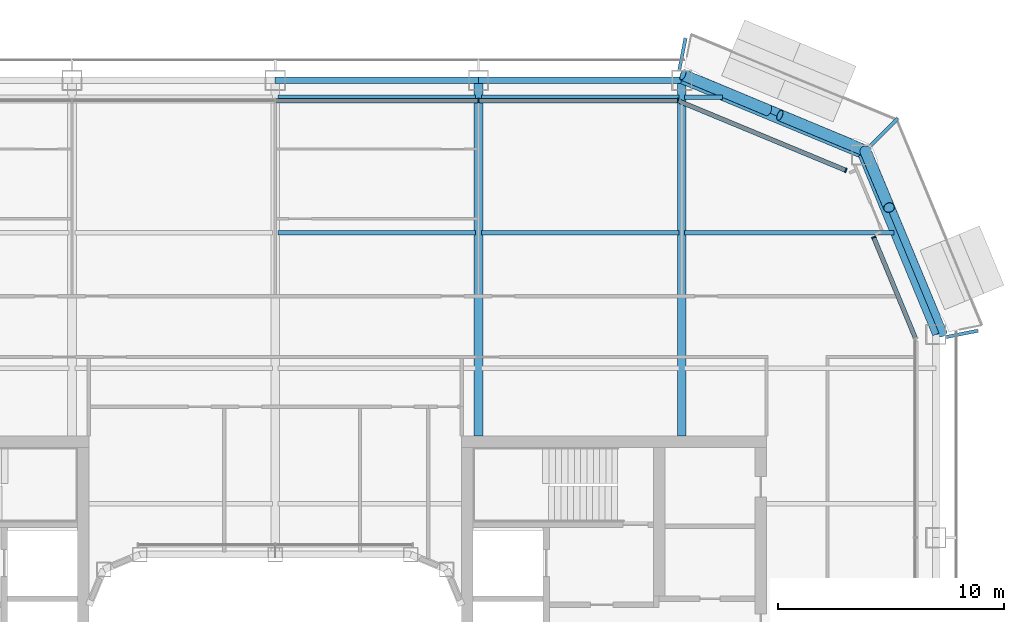
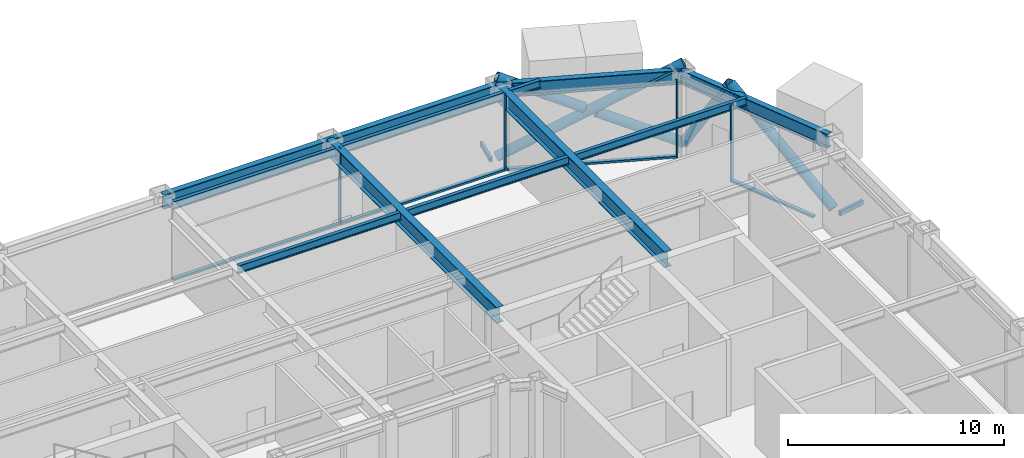
# One storey, part 9 of 24: 15 beams, 13 members, 3 elements without a shape of their own.
"""IFC4 building model written with IfcOpenShell, lengths in metres."""

from ifc_helpers import new_model, si_unit, direction, frame, origin, origin_2d, place, context, subcontext, project, spatial, rectangle, hollow_rectangle, hollow_circle, i_section, extrude, material, layer, layer_set, material_profile, profile_set, type_object, element, aggregate, save


model = new_model("IFC4")

# Units and contexts
model_context = context("Model", 3, precision=1e-05, world=origin(), true_north=direction((0.0, 1.0)))
body_context = subcontext(model_context, "Body", "Model", "MODEL_VIEW")
ifc_project = project(units=[si_unit("LENGTHUNIT", "METRE"), si_unit("AREAUNIT", "SQUARE_METRE"), si_unit("VOLUMEUNIT", "CUBIC_METRE"), si_unit("PLANEANGLEUNIT", "RADIAN"), si_unit("MASSUNIT", "GRAM", prefix="KILO")], contexts=[model_context])

# Site, building, storey
site_placement = place(None, origin())
site = spatial("IfcSite", under=ifc_project, at=site_placement, CompositionType="ELEMENT")
building_placement = place(site_placement, origin())
building = spatial("IfcBuilding", under=site, at=building_placement, Name="Siwar Civic Tower", CompositionType="ELEMENT")
storey_placement = place(building_placement, frame((0.0, 0.0, 149.699951171875)))
storey = spatial("IfcBuildingStorey", under=building, at=storey_placement, Name="L32", CompositionType="ELEMENT", Elevation=149.699951171875)

# Beams
ifc_material_1 = material(Name="Steel S355", Category="steel")
ifc_material_profile_1 = material_profile(ifc_material_1, hollow_rectangle(XDim=0.14990234375, YDim=0.25, WallThickness=0.010009765625, at=origin_2d()), Name="RHS250x150x10")
ifc_profile_set_1 = profile_set([ifc_material_profile_1], Name="Steel S355")
beam_type_1 = type_object("IfcBeamType", Name="ENV-BALCONY ARM", PredefinedType="BEAM", material=ifc_profile_set_1)
beam_1_placement = place(storey_placement, frame((29.709716796875, 17.887451171875, -0.27490234375), z_axis=(0.980765118081, 0.195191657493, 0.0), x_axis=(-0.195191657493, 0.980765118081, 0.0)))
element("IfcBeam", 1, at=beam_1_placement, inside=storey, type_object=beam_type_1, Name="Balcony cantilever beam NE 1", PredefinedType="BEAM", context=body_context, shape_type="SweptSolid", body=[
    extrude(hollow_rectangle(XDim=0.14990234375, YDim=0.25, WallThickness=0.010009765625, at=origin_2d()), origin(), (0.0, 0.0, 1.0), 1.422119140625),
])
beam_2_placement = place(storey_placement, frame((26.36962890625, 26.36962890625, -0.27490234375), z_axis=(0.707106781187, 0.707106781187, 0.0), x_axis=(-0.707106781187, 0.707106781187, 0.0)))
element("IfcBeam", 2, at=beam_2_placement, inside=storey, type_object=beam_type_1, Name="Balcony cantilever beam NE 2", PredefinedType="BEAM", context=body_context, shape_type="SweptSolid", body=[
    extrude(hollow_rectangle(XDim=0.14990234375, YDim=0.25, WallThickness=0.010009765625, at=origin_2d()), origin(), (0.0, 0.0, 1.0), 1.6865234375),
])
beam_3_placement = place(storey_placement, frame((17.887451171875, 29.709716796875, -0.27490234375), z_axis=(0.195191657493, 0.980765118081, 0.0), x_axis=(-0.980765118081, 0.195191657493, 0.0)))
element("IfcBeam", 3, at=beam_3_placement, inside=storey, type_object=beam_type_1, Name="Balcony cantilever beam NE 3", PredefinedType="BEAM", context=body_context, shape_type="SweptSolid", body=[
    extrude(hollow_rectangle(XDim=0.14990234375, YDim=0.25, WallThickness=0.010009765625, at=origin_2d()), origin(), (0.0, 0.0, 1.0), 1.422119140625),
])

# Curtain wall, member
ifc_material_2 = material(Name="Aluminium clad insulated panel", Category="aluminium")
ifc_layer_1 = layer(ifc_material_2, 0.199951171875)
ifc_layer_set_1 = layer_set([ifc_layer_1], Name="Aluminium clad insulated panel")
curtain_wall_type_1 = type_object("IfcCurtainWallType", Name="ENV-CW-BX", PredefinedType="NOTDEFINED", material=ifc_layer_set_1)
curtain_wall_1_placement = place(storey_placement, origin())
curtain_wall_1 = element("IfcCurtainWall", 4, at=curtain_wall_1_placement, inside=storey, type_object=curtain_wall_type_1, Name="Curtain wall B NE1", PredefinedType="NOTDEFINED")
ifc_material_3 = material(Name="Aluminium 6063-T6", Category="aluminium")
ifc_material_profile_2 = material_profile(ifc_material_3, rectangle(XDim=0.199951171875, YDim=0.06494140625, at=origin_2d()), Name="AL 200x65")
ifc_profile_set_2 = profile_set([ifc_material_profile_2], Name="Aluminium 6063-T6")
member_type_1 = type_object("IfcMemberType", Name="ENV-MULLION-B", PredefinedType="MULLION", material=ifc_profile_set_2)
member_1_placement = place(storey_placement, frame((26.4951171875, 22.299072265625, 0.0), z_axis=(0.0, 0.0, 1.0), x_axis=(-0.923879532511, -0.382683432365, 0.0)))
member_1 = element("IfcMember", 5, at=member_1_placement, type_object=member_type_1, Name="Mullion B NE1 2", PredefinedType="MULLION", context=body_context, shape_type="SweptSolid", body=[
    extrude(rectangle(XDim=0.199951171875, YDim=0.06494140625, at=origin_2d()), origin(), (0.0, 0.0, 1.0), 4.35009765625),
])

curtain_wall_2_placement = place(storey_placement, origin())
curtain_wall_2 = element("IfcCurtainWall", 6, at=curtain_wall_2_placement, inside=storey, type_object=curtain_wall_type_1, Name="Curtain wall B NE2", PredefinedType="NOTDEFINED")
member_2_placement = place(storey_placement, frame((25.26611328125, 25.26611328125, 0.0), z_axis=(0.0, 0.0, 1.0), x_axis=(-0.382683432365, -0.923879532511, 0.0)))
member_2 = element("IfcMember", 7, at=member_2_placement, type_object=member_type_1, Name="Mullion B NE2 1", PredefinedType="MULLION", context=body_context, shape_type="SweptSolid", body=[
    extrude(rectangle(XDim=0.199951171875, YDim=0.06494140625, at=origin_2d()), origin(), (0.0, 0.0, 1.0), 4.35009765625),
])

# Curtain wall, members
ifc_material_4 = material(Name="Aluminium and glass", Category="aluminium")
ifc_layer_2 = layer(ifc_material_4, 0.199951171875)
ifc_layer_set_2 = layer_set([ifc_layer_2], Name="Aluminium and glass")
curtain_wall_type_2 = type_object("IfcCurtainWallType", Name="ENV-CW-B", PredefinedType="NOTDEFINED", material=ifc_layer_set_2)
curtain_wall_3_placement = place(storey_placement, origin())
curtain_wall_3 = element("IfcCurtainWall", 8, at=curtain_wall_3_placement, inside=storey, type_object=curtain_wall_type_2, Name="Curtain wall B N", PredefinedType="NOTDEFINED")
member_3_placement = place(storey_placement, frame((17.821044921875, 28.35009765625, 0.0), z_axis=(0.0, 0.0, 1.0), x_axis=(0.0, -1.0, 0.0)))
member_3 = element("IfcMember", 9, at=member_3_placement, type_object=member_type_1, Name="Mullion B N 1", PredefinedType="MULLION", context=body_context, shape_type="SweptSolid", body=[
    extrude(rectangle(XDim=0.199951171875, YDim=0.06494140625, at=origin_2d()), origin(), (0.0, 0.0, 1.0), 4.35009765625),
])
member_4_placement = place(storey_placement, frame((9.0, 28.35009765625, 0.0), z_axis=(0.0, 0.0, 1.0), x_axis=(0.0, -1.0, 0.0)))
member_4 = element("IfcMember", 10, at=member_4_placement, type_object=member_type_1, Name="Mullion B N 2", PredefinedType="MULLION", context=body_context, shape_type="SweptSolid", body=[
    extrude(rectangle(XDim=0.199951171875, YDim=0.06494140625, at=origin_2d()), origin(), (0.0, 0.0, 1.0), 4.35009765625),
])

# Member
ifc_material_5 = material(Name="Aluminium 6063-T6", Category="aluminium")
ifc_material_profile_3 = material_profile(ifc_material_5, rectangle(XDim=0.199951171875, YDim=0.110107421875, at=origin_2d()), Name="AL 200x110")
ifc_profile_set_3 = profile_set([ifc_material_profile_3], Name="Aluminium 6063-T6")
member_type_2 = type_object("IfcMemberType", Name="ENV-TRANSOM-B", PredefinedType="USERDEFINED", material=ifc_profile_set_3)
member_5_placement = place(storey_placement, frame((28.337646484375, 17.85107421875, 0.054931640625), z_axis=(-0.382700487371, 0.923872467912, 0.0), x_axis=(-0.923872467912, -0.382700487371, 0.0)))
member_5 = element("IfcMember", 11, at=member_5_placement, type_object=member_type_2, Name="Transom B NE1 1", ObjectType="TRANSOM", PredefinedType="USERDEFINED", context=body_context, shape_type="SweptSolid", body=[
    extrude(rectangle(XDim=0.199951171875, YDim=0.110107421875, at=origin_2d()), origin(), (0.0, 0.0, 1.0), 4.781982421875),
])

aggregate(curtain_wall_1, [member_1, member_5])

member_6_placement = place(storey_placement, frame((25.236083984375, 25.278564453125, 0.054931640625), z_axis=(-0.923883705044, 0.382673358825, 0.0), x_axis=(-0.382673358825, -0.923883705044, 0.0)))
member_6 = element("IfcMember", 12, at=member_6_placement, type_object=member_type_2, Name="Transom B NE2 1", ObjectType="TRANSOM", PredefinedType="USERDEFINED", context=body_context, shape_type="SweptSolid", body=[
    extrude(rectangle(XDim=0.199951171875, YDim=0.110107421875, at=origin_2d()), origin(), (0.0, 0.0, 1.0), 7.912353515625),
])

aggregate(curtain_wall_2, [member_2, member_6])

member_7_placement = place(storey_placement, frame((17.78857421875, 28.35009765625, 0.054931640625), z_axis=(-1.0, 0.0, 0.0), x_axis=(0.0, -1.0, 0.0)))
member_7 = element("IfcMember", 13, at=member_7_placement, type_object=member_type_2, Name="Transom B N 1", ObjectType="TRANSOM", PredefinedType="USERDEFINED", context=body_context, shape_type="SweptSolid", body=[
    extrude(rectangle(XDim=0.199951171875, YDim=0.110107421875, at=origin_2d()), origin(), (0.0, 0.0, 1.0), 8.756103515625),
])

member_8_placement = place(storey_placement, frame((8.967529296875, 28.35009765625, 0.054931640625), z_axis=(-1.0, 0.0, 0.0), x_axis=(0.0, -1.0, 0.0)))
member_8 = element("IfcMember", 14, at=member_8_placement, type_object=member_type_2, Name="Transom B N 2", ObjectType="TRANSOM", PredefinedType="USERDEFINED", context=body_context, shape_type="SweptSolid", body=[
    extrude(rectangle(XDim=0.199951171875, YDim=0.110107421875, at=origin_2d()), origin(), (0.0, 0.0, 1.0), 8.93505859375),
])

aggregate(curtain_wall_3, [member_3, member_4, member_7, member_8])

# Members
ifc_material_6 = material(Name="Steel S355", Category="steel")
ifc_material_profile_4 = material_profile(ifc_material_6, hollow_circle(Radius=0.25390625, WallThickness=0.02490234375, at=origin_2d()), Name="CHS508x25")
ifc_profile_set_4 = profile_set([ifc_material_profile_4], Name="Steel S355")
member_type_3 = type_object("IfcMemberType", Name="STR-BR-CHS508x25", PredefinedType="BRACE", material=ifc_profile_set_4)
member_9_placement = place(storey_placement, frame((18.048828125, 29.4951171875, 0.0), z_axis=(0.821142553604, -0.341671493852, 0.457149315816), x_axis=(0.384163874976, 0.923264922524, 0.0)))
element("IfcMember", 15, at=member_9_placement, inside=storey, type_object=member_type_3, Name="L32/brc/BNE1-11-0-1", PredefinedType="BRACE", context=body_context, shape_type="SweptSolid", body=[
    extrude(hollow_circle(Radius=0.25390625, WallThickness=0.02490234375, at=origin_2d()), origin(), (0.0, 0.0, 1.0), 9.843505859375),
])
member_10_placement = place(storey_placement, frame((26.1318359375, 26.1318359375, 0.0), z_axis=(-0.821143275065, 0.341662474736, 0.457154760636), x_axis=(-0.384154943021, -0.923268638995, 0.0)))
element("IfcMember", 16, at=member_10_placement, inside=storey, type_object=member_type_3, Name="L32/brc/BNE1-11-0-2", PredefinedType="BRACE", context=body_context, shape_type="SweptSolid", body=[
    extrude(hollow_circle(Radius=0.25390625, WallThickness=0.02490234375, at=origin_2d()), origin(), (0.0, 0.0, 1.0), 4.61474609375),
])
member_11_placement = place(storey_placement, frame((21.837890625, 27.91845703125, 2.390625), z_axis=(-0.821145902409, 0.34168558233, 0.457132770413), x_axis=(-0.384176042158, -0.923259859753, 0.0)))
element("IfcMember", 17, at=member_11_placement, inside=storey, type_object=member_type_3, Name="L32/brc/BNE1-11-0-3", PredefinedType="BRACE", context=body_context, shape_type="SweptSolid", body=[
    extrude(hollow_circle(Radius=0.25390625, WallThickness=0.02490234375, at=origin_2d()), origin(), (0.0, 0.0, 1.0), 4.6142578125),
])
member_12_placement = place(storey_placement, frame((29.4951171875, 18.048828125, 0.0), z_axis=(-0.307903068035, 0.739973158344, 0.598026275029), x_axis=(-0.923262455747, -0.384169803352, 0.0)))
element("IfcMember", 18, at=member_12_placement, inside=storey, type_object=member_type_3, Name="L32/brc/BNE1-11-0-0", PredefinedType="BRACE", context=body_context, shape_type="SweptSolid", body=[
    extrude(hollow_circle(Radius=0.25390625, WallThickness=0.02490234375, at=origin_2d()), origin(), (0.0, 0.0, 1.0), 7.524658203125),
])
member_13_placement = place(storey_placement, frame((26.1318359375, 26.1318359375, 0.0), z_axis=(0.198925611165, -0.478099094869, 0.855482236349), x_axis=(0.92327038402, 0.384150749045, 0.0)))
element("IfcMember", 19, at=member_13_placement, inside=storey, type_object=member_type_3, Name="L32/brc/BNE1-11-0-6", PredefinedType="BRACE", context=body_context, shape_type="SweptSolid", body=[
    extrude(hollow_circle(Radius=0.25390625, WallThickness=0.02490234375, at=origin_2d()), origin(), (0.0, 0.0, 1.0), 5.26025390625),
])

# Beams
ifc_material_7 = material(Name="Steel S355", Category="steel")
ifc_material_profile_5 = material_profile(ifc_material_7, i_section(OverallWidth=0.18994140625, OverallDepth=0.449951171875, WebThickness=0.009521484375, FlangeThickness=0.0146484375, FilletRadius=0.02099609375, at=origin_2d()), Name="IPE450")
ifc_profile_set_5 = profile_set([ifc_material_profile_5], Name="Steel S355")
beam_type_2 = type_object("IfcBeamType", Name="STR-FB-IPE450", PredefinedType="JOIST", material=ifc_profile_set_5)
for number, where, z_axis, x_axis, name in (
    (20, (0.1298828125, 22.5, 4.125), (1.0, 0.0, 0.0), (0.0, 1.0, 0.0), "L32/bm/F040"),
    (21, (9.1298828125, 22.5, 4.125), (1.0, 0.0, 0.0), (0.0, 1.0, 0.0), "L32/bm/F041"),
):
    element("IfcBeam", number, at=place(storey_placement, frame(where, z_axis=z_axis, x_axis=x_axis)), inside=storey, type_object=beam_type_2, Name=name, PredefinedType="JOIST", context=body_context, shape_type="SweptSolid", body=[
        extrude(i_section(OverallWidth=0.18994140625, OverallDepth=0.449951171875, WebThickness=0.009521484375, FlangeThickness=0.0146484375, FilletRadius=0.02099609375, at=origin_2d()), origin(), (0.0, 0.0, 1.0), 8.740234375),
    ])
beam_4_placement = place(storey_placement, frame((18.1298828125, 22.5, 4.125), z_axis=(1.0, 0.0, 0.0), x_axis=(0.0, 1.0, 0.0)))
element("IfcBeam", 22, at=beam_4_placement, inside=storey, type_object=beam_type_2, Name="L32/bm/F042", PredefinedType="JOIST", context=body_context, shape_type="SweptSolid", body=[
    extrude(i_section(OverallWidth=0.18994140625, OverallDepth=0.449951171875, WebThickness=0.009521484375, FlangeThickness=0.0146484375, FilletRadius=0.02099609375, at=origin_2d()), origin(), (0.0, 0.0, 1.0), 9.256103515625),
])
for number, where, z_axis, x_axis, name in (
    (23, (0.1298828125, 28.5, 4.125), (1.0, 0.0, 0.0), (0.0, 1.0, 0.0), "L32/bm/F046"),
    (24, (9.1298828125, 28.5, 4.125), (1.0, 0.0, 0.0), (0.0, 1.0, 0.0), "L32/bm/F047"),
):
    element("IfcBeam", number, at=place(storey_placement, frame(where, z_axis=z_axis, x_axis=x_axis)), inside=storey, type_object=beam_type_2, Name=name, PredefinedType="JOIST", context=body_context, shape_type="SweptSolid", body=[
        extrude(i_section(OverallWidth=0.18994140625, OverallDepth=0.449951171875, WebThickness=0.009521484375, FlangeThickness=0.0146484375, FilletRadius=0.02099609375, at=origin_2d()), origin(), (0.0, 0.0, 1.0), 8.740234375),
    ])
beam_5_placement = place(storey_placement, frame((18.1298828125, 28.5, 4.125), z_axis=(1.0, 0.0, 0.0), x_axis=(0.0, 1.0, 0.0)))
element("IfcBeam", 25, at=beam_5_placement, inside=storey, type_object=beam_type_2, Name="L32/bm/F048", PredefinedType="JOIST", context=body_context, shape_type="SweptSolid", body=[
    extrude(i_section(OverallWidth=0.18994140625, OverallDepth=0.449951171875, WebThickness=0.009521484375, FlangeThickness=0.0146484375, FilletRadius=0.02099609375, at=origin_2d()), origin(), (0.0, 0.0, 1.0), 1.6806640625),
])
ifc_material_8 = material(Name="Steel S355", Category="steel")
ifc_material_profile_6 = material_profile(ifc_material_8, i_section(OverallWidth=0.3798828125, OverallDepth=0.89990234375, WebThickness=0.01611328125, FlangeThickness=0.035888671875, at=origin_2d()), Name="PG900x380x16x36")
ifc_profile_set_6 = profile_set([ifc_material_profile_6], Name="Steel S355")
beam_type_3 = type_object("IfcBeamType", Name="STR-PG-PG900x380x16x36", PredefinedType="BEAM", material=ifc_profile_set_6)
for number, where, z_axis, x_axis, name in (
    (26, (9.0, 13.5, 3.900146484375), (0.0, 1.0, 0.0), (-1.0, 0.0, 0.0), "L32/bm/G08"),
    (27, (18.0, 13.5, 3.900146484375), (0.0, 1.0, 0.0), (-1.0, 0.0, 0.0), "L32/bm/G10"),
):
    element("IfcBeam", number, at=place(storey_placement, frame(where, z_axis=z_axis, x_axis=x_axis)), inside=storey, type_object=beam_type_3, Name=name, PredefinedType="BEAM", context=body_context, shape_type="SweptSolid", body=[
        extrude(i_section(OverallWidth=0.3798828125, OverallDepth=0.89990234375, WebThickness=0.01611328125, FlangeThickness=0.035888671875, at=origin_2d()), origin(), (0.0, 0.0, 1.0), 15.75),
    ])
ifc_material_9 = material(Name="Steel S355", Category="steel")
ifc_material_profile_7 = material_profile(ifc_material_9, i_section(OverallWidth=0.300048828125, OverallDepth=0.800048828125, WebThickness=0.017578125, FlangeThickness=0.032958984375, FilletRadius=0.030029296875, at=origin_2d()), Name="HEB800")
ifc_profile_set_7 = profile_set([ifc_material_profile_7], Name="Steel S355")
beam_type_4 = type_object("IfcBeamType", Name="STR-SB-HEB800", PredefinedType="BEAM", material=ifc_profile_set_7)
for number, where, z_axis, x_axis, name in (
    (28, (29.25, 18.0, 3.949951171875), (-0.382699877515, 0.923872720536, 0.0), (-0.923872720536, -0.382699877515, 0.0), "L32/bm/SNE1-0"),
    (29, (25.954833984375, 25.954833984375, 3.949951171875), (-0.923872720536, 0.382699877515, 0.0), (-0.382699877515, -0.923872720536, 0.0), "L32/bm/SNE2-0"),
):
    element("IfcBeam", number, at=place(storey_placement, frame(where, z_axis=z_axis, x_axis=x_axis)), inside=storey, type_object=beam_type_4, Name=name, PredefinedType="BEAM", context=body_context, shape_type="SweptSolid", body=[
        extrude(i_section(OverallWidth=0.300048828125, OverallDepth=0.800048828125, WebThickness=0.017578125, FlangeThickness=0.032958984375, FilletRadius=0.030029296875, at=origin_2d()), origin(), (0.0, 0.0, 1.0), 8.6103515625),
    ])
for number, where, z_axis, x_axis, name in (
    (30, (18.0, 29.25, 3.949951171875), (-1.0, 0.0, 0.0), (0.0, -1.0, 0.0), "L32/bm/SN-0"),
    (31, (9.0, 29.25, 3.949951171875), (-1.0, 0.0, 0.0), (0.0, -1.0, 0.0), "L32/bm/SN-1"),
):
    element("IfcBeam", number, at=place(storey_placement, frame(where, z_axis=z_axis, x_axis=x_axis)), inside=storey, type_object=beam_type_4, Name=name, PredefinedType="BEAM", context=body_context, shape_type="SweptSolid", body=[
        extrude(i_section(OverallWidth=0.300048828125, OverallDepth=0.800048828125, WebThickness=0.017578125, FlangeThickness=0.032958984375, FilletRadius=0.030029296875, at=origin_2d()), origin(), (0.0, 0.0, 1.0), 9.0),
    ])

save(model, "model.ifc")
